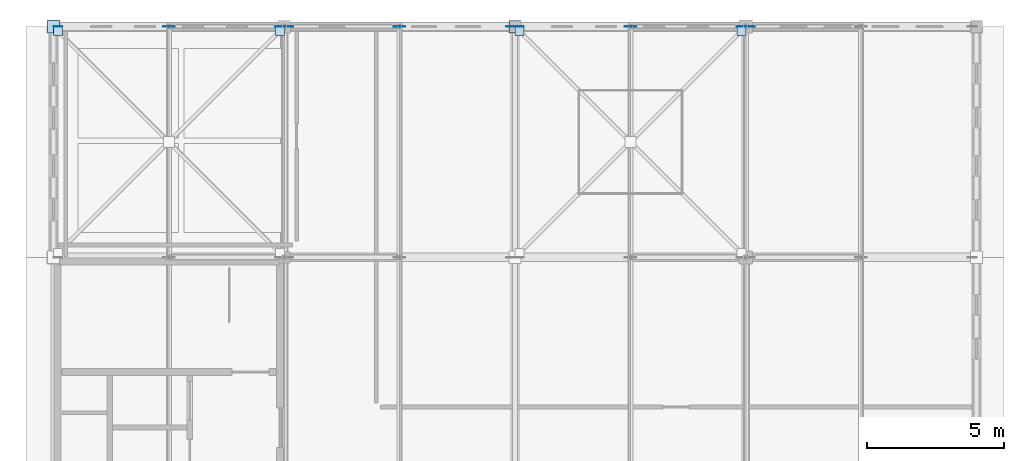
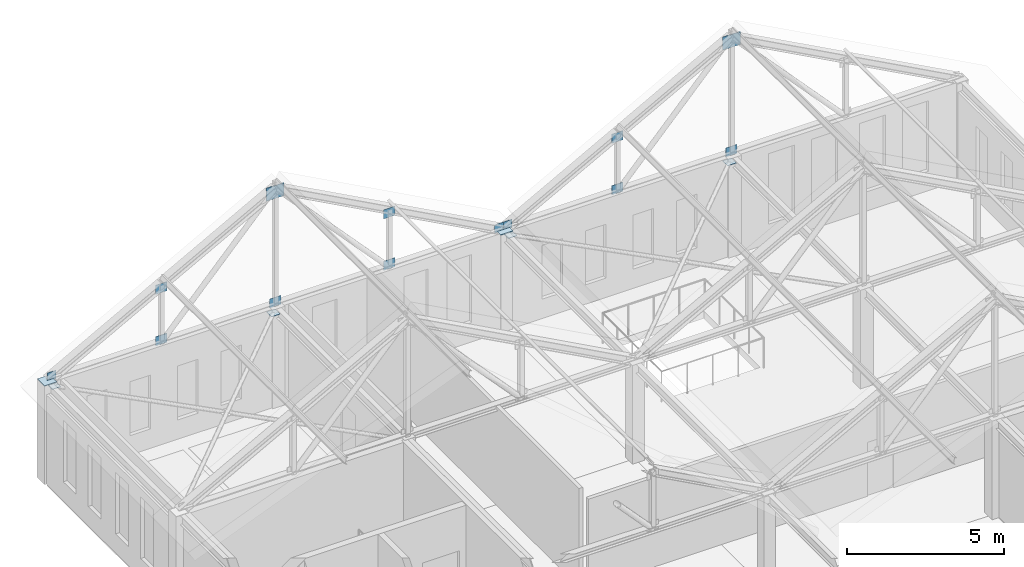
# One storey, part 28 of 36: 19 plates.
"""IFC4 building model written with IfcOpenShell, lengths in metres."""

from ifc_helpers import new_model, si_unit, direction, frame, origin, origin_2d, place, context, subcontext, project, spatial, rectangle, extrude, material, layer, layer_set, type_object, element, save


model = new_model("IFC4")

# Units and contexts
model_context = context("Model", 3, precision=1e-05, world=origin(), true_north=direction((0.0, 1.0)))
body_context = subcontext(model_context, "Body", "Model", "MODEL_VIEW")
ifc_project = project(units=[si_unit("LENGTHUNIT", "METRE"), si_unit("AREAUNIT", "SQUARE_METRE"), si_unit("VOLUMEUNIT", "CUBIC_METRE"), si_unit("PLANEANGLEUNIT", "RADIAN"), si_unit("MASSUNIT", "GRAM", prefix="KILO")], contexts=[model_context])

# Site, building, storey
site_placement = place(None, origin())
site = spatial("IfcSite", under=ifc_project, at=site_placement, CompositionType="ELEMENT")
building_placement = place(site_placement, origin())
building = spatial("IfcBuilding", under=site, at=building_placement, Name="Kveldsbrygga Polytechnic", CompositionType="ELEMENT")
storey_placement = place(building_placement, frame((0.0, 0.0, 26.179931640625)))
storey = spatial("IfcBuildingStorey", under=building, at=storey_placement, Name="L06", CompositionType="ELEMENT", Elevation=26.179931640625)

# Plates
ifc_material = material(Name="Steel S355", Category="steel")
ifc_layer_1 = layer(ifc_material, 0.030029296875)
ifc_layer_set_1 = layer_set([ifc_layer_1], Name="Steel S355")
plate_type_1 = type_object("IfcPlateType", Name="CAP-BEAR-450", PredefinedType="SHEET", material=ifc_layer_set_1)
for number, where, z_axis, x_axis, name in (
    (1, (126.0, 100.800048828125, 3.81005859375), (0.0, 0.0, 1.0), (1.0, 0.0, 0.0), "Truss Bearing Plate V4M1-T11-A"),
    (2, (142.800048828125, 100.800048828125, 3.81005859375), (0.0, 0.0, 1.0), (1.0, 0.0, 0.0), "Truss Bearing Plate V4M1-T11-B"),
):
    element("IfcPlate", number, at=place(storey_placement, frame(where, z_axis=z_axis, x_axis=x_axis)), inside=storey, type_object=plate_type_1, Name=name, PredefinedType="SHEET", context=body_context, shape_type="SweptSolid", body=[
        extrude(rectangle(XDim=0.449951171875, YDim=0.449951171875, at=origin_2d()), origin(), (0.0, 0.0, 1.0), 0.030029296875),
    ])
ifc_layer_2 = layer(ifc_material, 0.02490234375)
ifc_layer_set_2 = layer_set([ifc_layer_2], Name="Steel S355")
plate_type_2 = type_object("IfcPlateType", Name="GUS-APEX-650", PredefinedType="SHEET", material=ifc_layer_set_2)
for number, where, z_axis, x_axis, name in (
    (3, (134.39990234375, 100.800048828125, 7.989990234375), (0.0, 0.0, 1.0), (1.0, 0.0, 0.0), "Truss Gusset Plate V4M1-T11-GP-2"),
    (4, (151.199951171875, 100.800048828125, 7.989990234375), (0.0, 0.0, 1.0), (1.0, 0.0, 0.0), "Truss Gusset Plate V4M2-T11-GP-2"),
):
    element("IfcPlate", number, at=place(storey_placement, frame(where, z_axis=z_axis, x_axis=x_axis)), inside=storey, type_object=plate_type_2, Name=name, PredefinedType="SHEET", context=body_context, shape_type="SweptSolid", body=[
        extrude(rectangle(XDim=0.64990234375, YDim=0.02490234375, at=origin_2d()), origin(), (0.0, 0.0, 1.0), 0.5),
    ])
ifc_layer_3 = layer(ifc_material, 0.01806640625)
ifc_layer_set_3 = layer_set([ifc_layer_3], Name="Steel S355")
plate_type_3 = type_object("IfcPlateType", Name="GUS-BRACE-320", PredefinedType="SHEET", material=ifc_layer_set_3)
for number, where, z_axis, x_axis, name in (
    (5, (126.159912109375, 100.800048828125, 3.7998046875), (0.0, 0.0, 1.0), (1.0, 0.0, 0.0), "Truss Eaves Node Gusset V4M1-T11-EGP-A"),
    (6, (142.639892578125, 100.800048828125, 3.7998046875), (0.0, 0.0, 1.0), (1.0, 0.0, 0.0), "Truss Eaves Node Gusset V4M1-T11-EGP-B"),
    (7, (142.9599609375, 100.800048828125, 3.7998046875), (0.0, 0.0, 1.0), (1.0, 0.0, 0.0), "Truss Eaves Node Gusset V4M2-T11-EGP-A"),
):
    element("IfcPlate", number, at=place(storey_placement, frame(where, z_axis=z_axis, x_axis=x_axis)), inside=storey, type_object=plate_type_3, Name=name, PredefinedType="SHEET", context=body_context, shape_type="SweptSolid", body=[
        extrude(rectangle(XDim=0.320068359375, YDim=0.01806640625, at=origin_2d()), origin(), (0.0, 0.0, 1.0), 0.320068359375),
    ])
for number, where, z_axis, x_axis, name in (
    (8, (134.239990234375, 100.639892578125, 3.6611328125), (0.0, 0.0, 1.0), (1.0, 0.0, 0.0), "Attic Brace End Gusset XGP-RBR-15-11-2"),
    (9, (126.159912109375, 100.639892578125, 3.6611328125), (0.0, 0.0, 1.0), (1.0, 0.0, 0.0), "Attic Brace End Gusset XGP-RBR-15-11-3"),
    (10, (151.0400390625, 100.639892578125, 3.6611328125), (0.0, 0.0, 1.0), (1.0, 0.0, 0.0), "Attic Brace End Gusset XGP-RBR-17-11-2"),
    (11, (142.9599609375, 100.639892578125, 3.6611328125), (0.0, 0.0, 1.0), (1.0, 0.0, 0.0), "Attic Brace End Gusset XGP-RBR-17-11-3"),
):
    element("IfcPlate", number, at=place(storey_placement, frame(where, z_axis=z_axis, x_axis=x_axis)), inside=storey, type_object=plate_type_3, Name=name, PredefinedType="SHEET", context=body_context, shape_type="SweptSolid", body=[
        extrude(rectangle(XDim=0.320068359375, YDim=0.320068359375, at=origin_2d()), origin(), (0.0, 0.0, 1.0), 0.01806640625),
    ])
ifc_layer_4 = layer(ifc_material, 0.02001953125)
ifc_layer_set_4 = layer_set([ifc_layer_4], Name="Steel S355")
plate_type_4 = type_object("IfcPlateType", Name="GUS-LECT-420", PredefinedType="SHEET", material=ifc_layer_set_4)
for number, where, z_axis, x_axis, name in (
    (12, (130.199951171875, 100.800048828125, 5.7900390625), (0.0, 0.0, 1.0), (1.0, 0.0, 0.0), "Truss Gusset Plate V4M1-T11-GP-1"),
    (13, (130.199951171875, 100.800048828125, 3.784912109375), (0.0, 0.0, 1.0), (1.0, 0.0, 0.0), "Truss Bottom-Chord Node Gusset V4M1-T11-BGP-1"),
    (14, (134.39990234375, 100.800048828125, 3.784912109375), (0.0, 0.0, 1.0), (1.0, 0.0, 0.0), "Truss Bottom-Chord Node Gusset V4M1-T11-BGP-2"),
    (15, (138.60009765625, 100.800048828125, 5.7900390625), (0.0, 0.0, 1.0), (1.0, 0.0, 0.0), "Truss Gusset Plate V4M1-T11-GP-3"),
    (16, (138.60009765625, 100.800048828125, 3.784912109375), (0.0, 0.0, 1.0), (1.0, 0.0, 0.0), "Truss Bottom-Chord Node Gusset V4M1-T11-BGP-3"),
    (17, (147.0, 100.800048828125, 5.7900390625), (0.0, 0.0, 1.0), (1.0, 0.0, 0.0), "Truss Gusset Plate V4M2-T11-GP-1"),
    (18, (147.0, 100.800048828125, 3.784912109375), (0.0, 0.0, 1.0), (1.0, 0.0, 0.0), "Truss Bottom-Chord Node Gusset V4M2-T11-BGP-1"),
    (19, (151.199951171875, 100.800048828125, 3.784912109375), (0.0, 0.0, 1.0), (1.0, 0.0, 0.0), "Truss Bottom-Chord Node Gusset V4M2-T11-BGP-2"),
):
    element("IfcPlate", number, at=place(storey_placement, frame(where, z_axis=z_axis, x_axis=x_axis)), inside=storey, type_object=plate_type_4, Name=name, PredefinedType="SHEET", context=body_context, shape_type="SweptSolid", body=[
        extrude(rectangle(XDim=0.419921875, YDim=0.02001953125, at=origin_2d()), origin(), (0.0, 0.0, 1.0), 0.35009765625),
    ])

save(model, "model.ifc")
